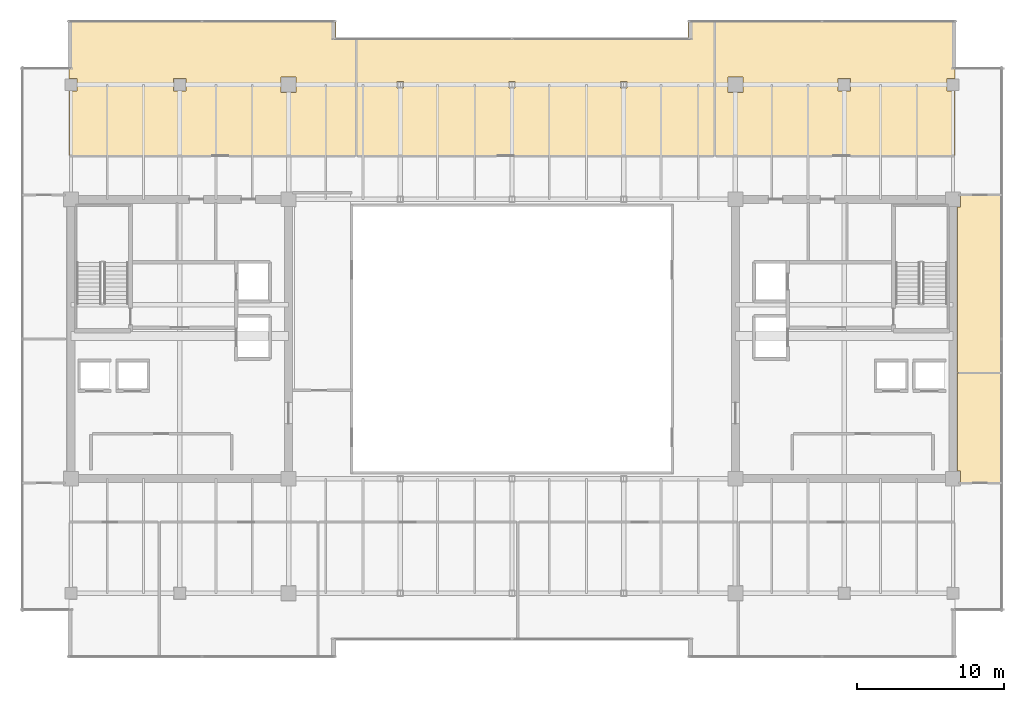
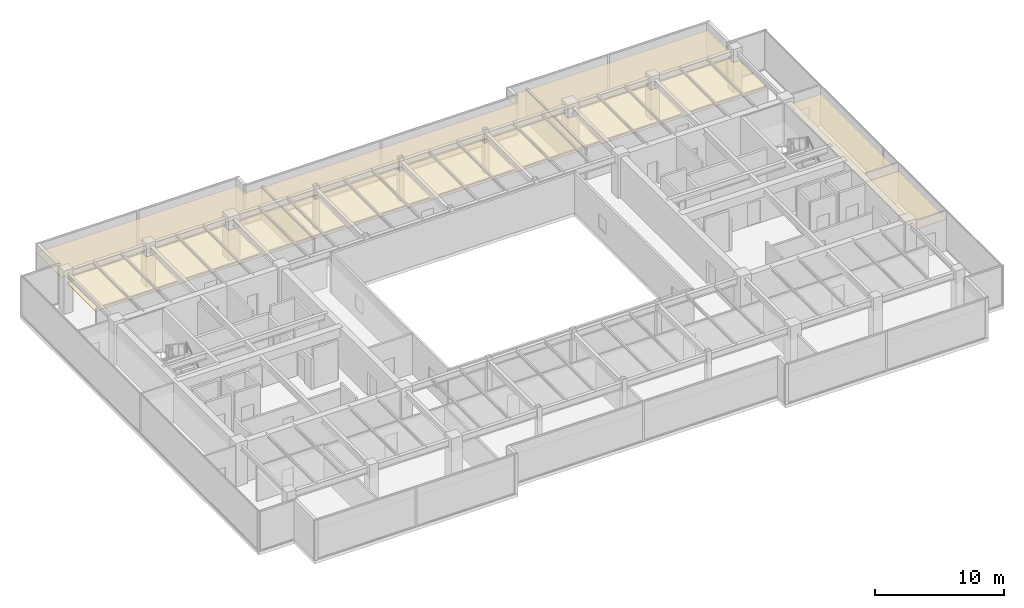
# One storey, part 36 of 36: 5 coverings.
"""IFC4 building model written with IfcOpenShell, lengths in metres."""

from ifc_helpers import new_model, si_unit, direction, frame, origin, place, context, subcontext, project, spatial, polyline, outline, extrude, material, layer, layer_set, type_object, element, save


model = new_model("IFC4")

# Units and contexts
model_context = context("Model", 3, precision=1e-05, world=origin(), true_north=direction((0.0, 1.0)))
body_context = subcontext(model_context, "Body", "Model", "MODEL_VIEW")
ifc_project = project(units=[si_unit("LENGTHUNIT", "METRE"), si_unit("AREAUNIT", "SQUARE_METRE"), si_unit("VOLUMEUNIT", "CUBIC_METRE"), si_unit("PLANEANGLEUNIT", "RADIAN"), si_unit("MASSUNIT", "GRAM", prefix="KILO")], contexts=[model_context])

# Site, building, storey
site_placement = place(None, origin())
site = spatial("IfcSite", under=ifc_project, at=site_placement, CompositionType="ELEMENT")
building_placement = place(site_placement, origin())
building = spatial("IfcBuilding", under=site, at=building_placement, Name="Haelvirn Gate Laboratories", CompositionType="ELEMENT")
storey_placement = place(building_placement, frame((0.0, 0.0, 262.89990234375)))
storey = spatial("IfcBuildingStorey", under=building, at=storey_placement, Name="L63", CompositionType="ELEMENT", Elevation=262.89990234375)

# Coverings
ifc_material = material(Name="Washable cleanroom gasketed aluminium ceiling", Category="aluminium")
ifc_layer = layer(ifc_material, 0.050048828125, Name="COV-CEIL-CLN")
ifc_layer_set = layer_set([ifc_layer], Name="Washable cleanroom gasketed aluminium ceiling")
covering_type = type_object("IfcCoveringType", Name="COV-CEIL-CLN", PredefinedType="CEILING", material=ifc_layer_set)
covering_1_placement = place(storey_placement, frame((0.0, 0.0, 2.8701171875)))
element("IfcCovering", 1, at=covering_1_placement, inside=storey, type_object=covering_type, Name="L63 Laboratory Acoustic Ceiling CEIL-SP-L63-N-01", PredefinedType="CEILING", context=body_context, shape_type="SweptSolid", body=[
    extrude(outline(polyline([(7.25, 36.77001953125), (7.25, 41.179931640625), (7.820068359375, 41.179931640625), (7.820068359375, 42.02001953125), (7.25, 42.02001953125), (7.25, 45.949951171875), (25.419921875, 45.949951171875), (25.419921875, 44.820068359375), (26.780029296875, 44.820068359375), (26.780029296875, 36.77001953125), (7.25, 36.77001953125)]), holes=[polyline([(14.3798828125, 41.179931640625), (15.219970703125, 41.179931640625), (15.219970703125, 42.02001953125), (14.3798828125, 42.02001953125), (14.3798828125, 41.179931640625)]), polyline([(21.679931640625, 42.1201171875), (21.679931640625, 41.080078125), (22.719970703125, 41.080078125), (22.719970703125, 42.1201171875), (21.679931640625, 42.1201171875)])]), origin(), (0.0, 0.0, 1.0), 0.050048828125),
])
covering_2_placement = place(storey_placement, frame((0.0, 0.0, 2.8701171875)))
element("IfcCovering", 2, at=covering_2_placement, inside=storey, type_object=covering_type, Name="L63 Laboratory Acoustic Ceiling CEIL-SP-L63-N-02", PredefinedType="CEILING", context=body_context, shape_type="SweptSolid", body=[
    extrude(outline(polyline([(51.179931640625, 36.77001953125), (26.820068359375, 36.77001953125), (26.820068359375, 44.820068359375), (49.3798828125, 44.820068359375), (49.3798828125, 45.949951171875), (51.179931640625, 45.949951171875), (51.179931640625, 36.77001953125)]), holes=[polyline([(29.580078125, 41.3798828125), (30.02001953125, 41.3798828125), (30.02001953125, 41.820068359375), (29.580078125, 41.820068359375), (29.580078125, 41.3798828125)]), polyline([(37.179931640625, 41.820068359375), (37.179931640625, 41.3798828125), (37.6201171875, 41.3798828125), (37.6201171875, 41.820068359375), (37.179931640625, 41.820068359375)]), polyline([(45.219970703125, 41.820068359375), (44.780029296875, 41.820068359375), (44.780029296875, 41.3798828125), (45.219970703125, 41.3798828125), (45.219970703125, 41.820068359375)])]), origin(), (0.0, 0.0, 1.0), 0.050048828125),
])
covering_3_placement = place(storey_placement, frame((0.0, 0.0, 2.8701171875)))
element("IfcCovering", 3, at=covering_3_placement, inside=storey, type_object=covering_type, Name="L63 Laboratory Acoustic Ceiling CEIL-SP-L63-N-03", PredefinedType="CEILING", context=body_context, shape_type="SweptSolid", body=[
    extrude(outline(polyline([(67.550048828125, 36.77001953125), (51.219970703125, 36.77001953125), (51.219970703125, 45.949951171875), (67.550048828125, 45.949951171875), (67.550048828125, 42.02001953125), (66.97998046875, 42.02001953125), (66.97998046875, 41.179931640625), (67.550048828125, 41.179931640625), (67.550048828125, 36.77001953125)]), holes=[polyline([(52.080078125, 41.080078125), (53.1201171875, 41.080078125), (53.1201171875, 42.1201171875), (52.080078125, 42.1201171875), (52.080078125, 41.080078125)]), polyline([(59.580078125, 42.02001953125), (59.580078125, 41.179931640625), (60.419921875, 41.179931640625), (60.419921875, 42.02001953125), (59.580078125, 42.02001953125)])]), origin(), (0.0, 0.0, 1.0), 0.050048828125),
])
covering_4_placement = place(storey_placement, frame((0.0, 0.0, 2.8701171875)))
element("IfcCovering", 4, at=covering_4_placement, inside=storey, type_object=covering_type, Name="L63 Laboratory Acoustic Ceiling CEIL-SP-L63-EZ3-S", PredefinedType="CEILING", context=body_context, shape_type="SweptSolid", body=[
    extrude(outline(polyline([(70.75, 21.989990234375), (70.75, 14.52490234375), (67.919921875, 14.52490234375), (67.919921875, 15.320068359375), (67.719970703125, 15.320068359375), (67.719970703125, 21.989990234375), (70.75, 21.989990234375)])), origin(), (0.0, 0.0, 1.0), 0.050048828125),
])
covering_5_placement = place(storey_placement, frame((0.0, 0.0, 2.8701171875)))
element("IfcCovering", 5, at=covering_5_placement, inside=storey, type_object=covering_type, Name="L63 Laboratory Acoustic Ceiling CEIL-SP-L63-EZ3-N", PredefinedType="CEILING", context=body_context, shape_type="SweptSolid", body=[
    extrude(outline(polyline([(70.75, 34.074951171875), (70.75, 22.010009765625), (67.719970703125, 22.010009765625), (67.719970703125, 33.280029296875), (67.919921875, 33.280029296875), (67.919921875, 34.074951171875), (70.75, 34.074951171875)])), origin(), (0.0, 0.0, 1.0), 0.050048828125),
])

save(model, "model.ifc")
